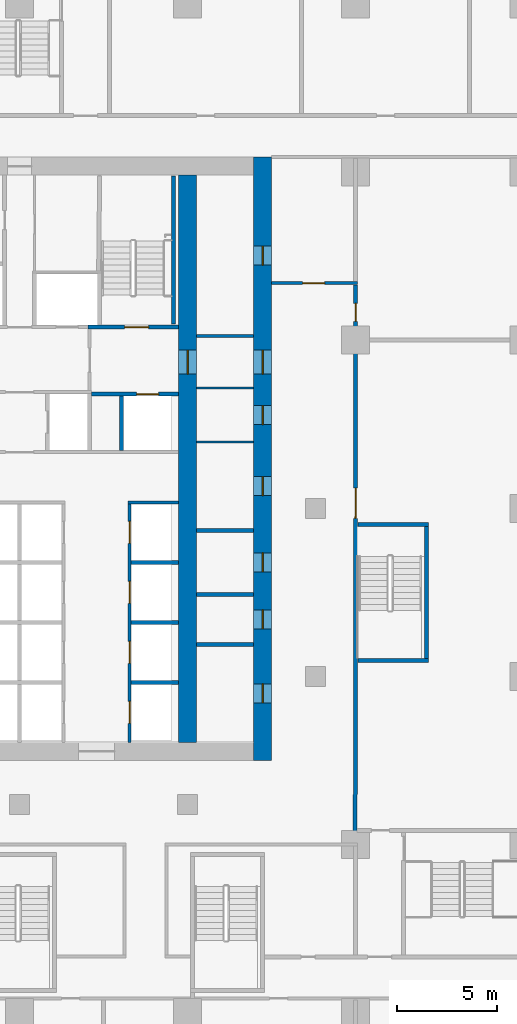
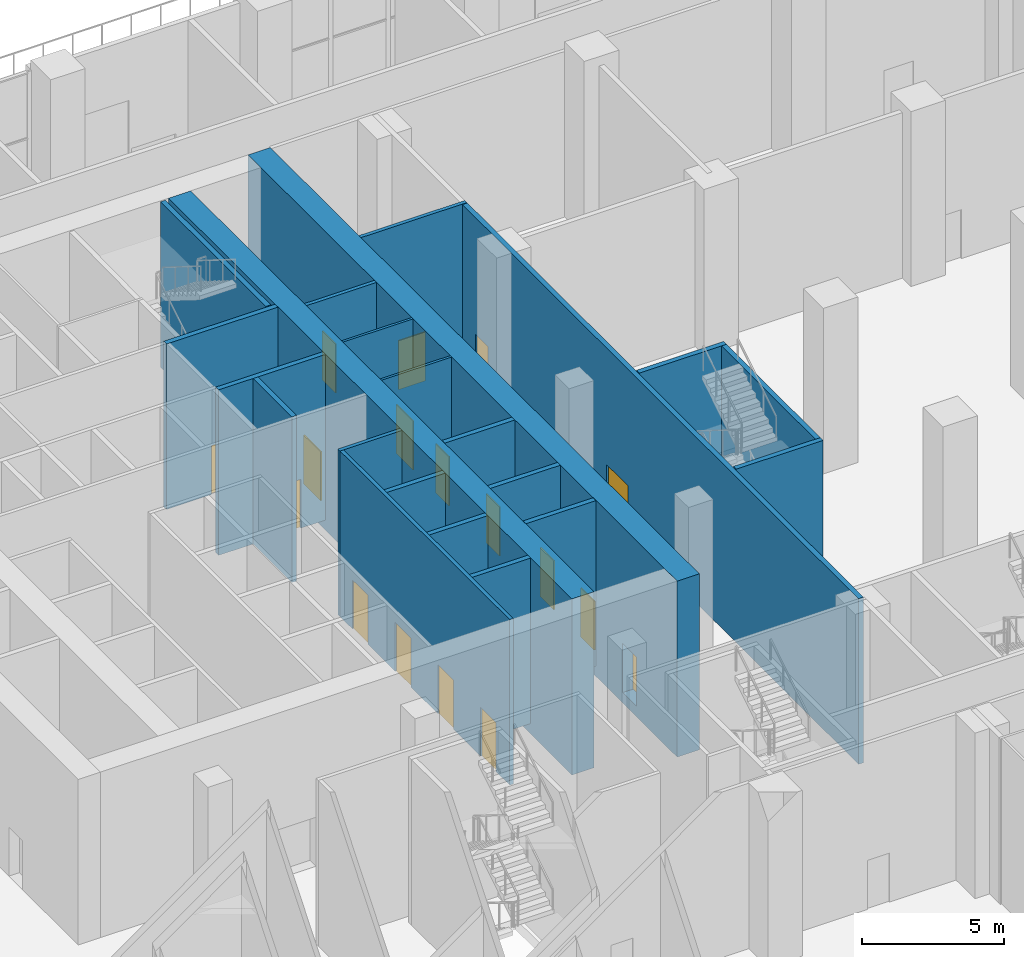
# One storey, part 28 of 53: 22 walls, 17 doors, 17 openings.
"""IFC4 building model written with IfcOpenShell, lengths in metres."""

import ifcopenshell
import ifcopenshell.guid

model = None  # the IFC model being written
_history = None  # IfcOwnerHistory: only IFC2X3 demands one
_inside = {}  # id of a spatial element -> (the spatial element, [elements in it])
_under = {}  # id of a project, library or spatial element -> (it, [spatial elements below it])
_declared = {}  # id of a project -> (the project, [libraries it declares])
_typed = {}  # id of a type object -> (the type object, [elements of that type])
_made_of = {}  # id of a material, layer set ... -> (it, [elements and type objects made of it])


def new_model(schema):
    """Start an empty IFC model of exactly this schema.

    Asked for "IFC4X3", IfcOpenShell would pick the latest addendum, in which some entities
    have other attributes; the version numbers below select the first issue.
    IFC2X3 requires an IfcOwnerHistory on every rooted entity: one is made here for all.
    """
    global model, _history
    if schema == "IFC4X3":
        model = ifcopenshell.file(schema_version=(4, 3, 0, 0))
    else:
        model = ifcopenshell.file(schema=schema)
    _inside.clear()
    _under.clear()
    _declared.clear()
    _typed.clear()
    _made_of.clear()
    _history = None
    if model.schema == "IFC2X3":
        org = make("IfcOrganization", Name="unknown")
        user = make(
            "IfcPersonAndOrganization",
            ThePerson=make("IfcPerson", FamilyName="unknown"),
            TheOrganization=org,
        )
        app = make(
            "IfcApplication",
            ApplicationDeveloper=org,
            Version="unknown",
            ApplicationFullName="unknown",
            ApplicationIdentifier="unknown",
        )
        _history = make(
            "IfcOwnerHistory",
            OwningUser=user,
            OwningApplication=app,
            ChangeAction="ADDED",
            CreationDate=0,
        )
    return model


def make(cls, **values):
    """One entity of the class cls with the attributes given. An attribute that is None is left unset."""
    return model.create_entity(
        cls, **{name: value for name, value in values.items() if value is not None}
    )


def rooted(cls, **values):
    """An entity with a GlobalId (a new one), such as an element, a storey or a relation."""
    return make(cls, GlobalId=ifcopenshell.guid.new(), OwnerHistory=_history, **values)


def si_unit(unit_type, name, prefix=None):
    """IfcSIUnit, for example si_unit("LENGTHUNIT", "METRE", prefix="MILLI")."""
    return make("IfcSIUnit", UnitType=unit_type, Prefix=prefix, Name=name)


def assignment(units):
    """IfcUnitAssignment: the units of a project."""
    return None if units is None else make("IfcUnitAssignment", Units=units)


def point(xyz):
    """IfcCartesianPoint."""
    return None if xyz is None else make("IfcCartesianPoint", Coordinates=xyz)


def direction(xyz):
    """IfcDirection."""
    return None if xyz is None else make("IfcDirection", DirectionRatios=xyz)


def frame(location, z_axis=None, x_axis=None):
    """IfcAxis2Placement3D, a coordinate frame: its origin and axes. An axis left out is left unset."""
    return make(
        "IfcAxis2Placement3D",
        Location=point(location),
        Axis=direction(z_axis),
        RefDirection=direction(x_axis),
    )


def frame_2d(location, x_axis=None):
    """IfcAxis2Placement2D, a coordinate frame in the plane: its origin and x axis."""
    return make(
        "IfcAxis2Placement2D", Location=point(location), RefDirection=direction(x_axis)
    )


def origin():
    """The frame at (0, 0, 0) with its axes left unset."""
    return frame((0.0, 0.0, 0.0))


def place(relative_to, where):
    """IfcLocalPlacement: puts the frame where relative to a parent placement (None: the world)."""
    return make(
        "IfcLocalPlacement", PlacementRelTo=relative_to, RelativePlacement=where
    )


def context(
    kind, dimensions, precision=None, world=None, true_north=None, identifier=None
):
    """IfcGeometricRepresentationContext, for example the 3D "Model" context."""
    return make(
        "IfcGeometricRepresentationContext",
        ContextIdentifier=identifier,
        ContextType=kind,
        CoordinateSpaceDimension=dimensions,
        Precision=precision,
        WorldCoordinateSystem=world,
        TrueNorth=true_north,
    )


def subcontext(parent, identifier, kind, view, scale=None):
    """IfcGeometricRepresentationSubContext, for example "Body" below "Model"."""
    return make(
        "IfcGeometricRepresentationSubContext",
        ContextIdentifier=identifier,
        ContextType=kind,
        ParentContext=parent,
        TargetScale=scale,
        TargetView=view,
    )


def project(units=None, contexts=None):
    """IfcProject with its units and contexts."""
    return rooted(
        "IfcProject",
        Name="project",
        RepresentationContexts=contexts,
        UnitsInContext=assignment(units),
    )


def spatial(cls, under=None, at=None, **own):
    """A site, building, storey or space (cls), placed at a placement, below another one or the project."""
    s = rooted(cls, ObjectPlacement=at, **own)
    if under is not None:
        _under.setdefault(under.id(), (under, []))[1].append(s)
    return s


def profile(cls, at=None, kind="AREA", **sizes):
    """A parametric profile (cls). Its sizes go by their IFC names, for example OverallWidth=200.0."""
    return make(cls, ProfileType=kind, Position=at, **sizes)


def rectangle(**sizes):
    """IfcRectangleProfileDef."""
    return profile("IfcRectangleProfileDef", **sizes)


def extrude(swept, where, along, depth):
    """IfcExtrudedAreaSolid: the profile swept, set in the frame where, extruded along a direction by depth."""
    return make(
        "IfcExtrudedAreaSolid",
        SweptArea=swept,
        Position=where,
        ExtrudedDirection=direction(along),
        Depth=depth,
    )


def shape(context_of_items, identifier, shape_type, items):
    """IfcShapeRepresentation: the items that make up one representation, for example the "Body"."""
    return make(
        "IfcShapeRepresentation",
        ContextOfItems=context_of_items,
        RepresentationIdentifier=identifier,
        RepresentationType=shape_type,
        Items=items,
    )


def material(Name=None, Category=None):
    """IfcMaterial."""
    return make("IfcMaterial", Name=Name, Category=Category)


def layer(
    of_material, thickness, ventilated=None, Name=None, Category=None, Priority=None
):
    """IfcMaterialLayer: one layer of a wall or slab, of a material (None: an air gap)."""
    return make(
        "IfcMaterialLayer",
        Material=of_material,
        LayerThickness=thickness,
        IsVentilated=ventilated,
        Name=Name,
        Category=Category,
        Priority=Priority,
    )


def layer_set(layers, Name=None):
    """IfcMaterialLayerSet."""
    return make("IfcMaterialLayerSet", MaterialLayers=layers, LayerSetName=Name)


def made_of(thing, what):
    """Note that an element or type object is made of a material, layer set ...; save() writes the relation."""
    if what is not None:
        _made_of.setdefault(what.id(), (what, []))[1].append(thing)
    return thing


def type_object(cls, material=None, **own):
    """A type object (cls), such as IfcWallType, which elements share."""
    return made_of(rooted(cls, **own), material)


def element(
    cls,
    number,
    at=None,
    inside=None,
    cuts=None,
    type_object=None,
    material=None,
    context=None,
    identifier="Body",
    shape_type=None,
    held_by="IfcProductDefinitionShape",
    body=None,
    shapes=None,
    **own,
):
    """One element of the class cls, such as IfcWall. Its Tag is "e" and its number.

    at: its placement. inside: the storey or other place that contains it. cuts: it is an
    opening in that element (IfcRelVoidsElement). A single representation is given by context,
    identifier, shape_type and body (its items); several are given by shapes. held_by: the class
    of the entity that holds the representations. save() writes the other relations.
    """
    e = rooted(cls, Tag="e%d" % number, ObjectPlacement=at, **own)
    if body is not None:
        shapes = [shape(context, identifier, shape_type, body)]
    if shapes is not None:
        e.Representation = make(held_by, Representations=shapes)
    if inside is not None:
        _inside.setdefault(inside.id(), (inside, []))[1].append(e)
    if cuts is not None:
        rooted(
            "IfcRelVoidsElement", RelatingBuildingElement=cuts, RelatedOpeningElement=e
        )
    if type_object is not None:
        _typed.setdefault(type_object.id(), (type_object, []))[1].append(e)
    return made_of(e, material)


def fill(opening, filler):
    """IfcRelFillsElement: the door or window that sits in an opening."""
    return rooted(
        "IfcRelFillsElement",
        RelatingOpeningElement=opening,
        RelatedBuildingElement=filler,
    )


def aggregate(whole, parts):
    """IfcRelAggregates: a whole, such as a stair, and the parts it consists of."""
    return rooted("IfcRelAggregates", RelatingObject=whole, RelatedObjects=parts)


def save(model, path):
    """Write the relations noted so far, then the file.

    IfcRelAggregates (storeys below a building ...), IfcRelContainedInSpatialStructure (elements
    in a storey), IfcRelDefinesByType, IfcRelAssociatesMaterial and IfcRelDeclares: one each for
    every whole, place, type object, material and project.
    """
    for whole, parts in _under.values():
        aggregate(whole, parts)
    for where, things in _inside.values():
        rooted(
            "IfcRelContainedInSpatialStructure",
            RelatedElements=things,
            RelatingStructure=where,
        )
    for kind, things in _typed.values():
        rooted("IfcRelDefinesByType", RelatedObjects=things, RelatingType=kind)
    for what, things in _made_of.values():
        rooted("IfcRelAssociatesMaterial", RelatedObjects=things, RelatingMaterial=what)
    for by, libraries in _declared.values():
        rooted("IfcRelDeclares", RelatingContext=by, RelatedDefinitions=libraries)
    model.write(path)


model = new_model("IFC4")

# Units and contexts
model_context = context("Model", 3, precision=1e-05, world=origin(), true_north=direction((0.0, 1.0)))
body_context = subcontext(model_context, "Body", "Model", "MODEL_VIEW")
ifc_project = project(units=[si_unit("LENGTHUNIT", "METRE"), si_unit("AREAUNIT", "SQUARE_METRE"), si_unit("VOLUMEUNIT", "CUBIC_METRE"), si_unit("PLANEANGLEUNIT", "RADIAN"), si_unit("MASSUNIT", "GRAM", prefix="KILO")], contexts=[model_context])

# Site, building, storey
site_placement = place(None, origin())
site = spatial("IfcSite", under=ifc_project, at=site_placement, CompositionType="ELEMENT")
building_placement = place(site_placement, origin())
building = spatial("IfcBuilding", under=site, at=building_placement, Name="Vermilion Ogive Tower", CompositionType="ELEMENT")
storey_placement = place(building_placement, origin())
storey = spatial("IfcBuildingStorey", under=building, at=storey_placement, Name="L00", CompositionType="ELEMENT", Elevation=0.0)

# Wall, openings, doors
ifc_material_1 = material(Name="Concrete B80", Category="concrete")
ifc_layer_1 = layer(ifc_material_1, 0.89990234375)
ifc_layer_set_1 = layer_set([ifc_layer_1], Name="Core wall 900 B80")
wall_type_1 = type_object("IfcWallType", Name="Core wall 900 B80", PredefinedType="SHEAR", material=ifc_layer_set_1)
wall_1_placement = place(storey_placement, frame((12.14990234375, -8.39990234375, -0.449951171875), z_axis=(0.0, 0.0, 1.0), x_axis=(0.0, 1.0, 0.0)))
wall_1 = element("IfcWall", 1, at=wall_1_placement, inside=storey, type_object=wall_type_1, Name="L00-CORE-E", PredefinedType="SHEAR", context=body_context, shape_type="SweptSolid", body=[
    extrude(rectangle(XDim=30.14990234375, YDim=0.89990234375, at=frame_2d((15.074951171875, 0.0))), origin(), (0.0, 0.0, 1.0), 7.550048828125),
])
opening_1_placement = place(wall_1_placement, frame((2.875, 0.0, 0.449951171875)))
opening_1 = element("IfcOpeningElement", 2, at=opening_1_placement, cuts=wall_1, Name="Opening DAJ001", PredefinedType="OPENING", context=body_context, shape_type="SweptSolid", body=[
    extrude(rectangle(XDim=0.949951171875, YDim=2.10009765625, at=frame_2d((0.47509765625, 1.050048828125))), frame((0.0, 0.4599609375, 0.0), z_axis=(0.0, -1.0, 0.0), x_axis=(1.0, 0.0, 0.0)), (0.0, 0.0, 1.0), 0.919921875),
])
opening_2_placement = place(wall_1_placement, frame((6.574951171875, 0.0, 0.449951171875)))
opening_2 = element("IfcOpeningElement", 3, at=opening_2_placement, cuts=wall_1, Name="Opening DAJ002", PredefinedType="OPENING", context=body_context, shape_type="SweptSolid", body=[
    extrude(rectangle(XDim=0.949951171875, YDim=2.10009765625, at=frame_2d((0.47509765625, 1.050048828125))), frame((0.0, 0.4599609375, 0.0), z_axis=(0.0, -1.0, 0.0), x_axis=(1.0, 0.0, 0.0)), (0.0, 0.0, 1.0), 0.919921875),
])
opening_3_placement = place(wall_1_placement, frame((9.425048828125, 0.0, 0.449951171875)))
opening_3 = element("IfcOpeningElement", 4, at=opening_3_placement, cuts=wall_1, Name="Opening DAJ003", PredefinedType="OPENING", context=body_context, shape_type="SweptSolid", body=[
    extrude(rectangle(XDim=0.949951171875, YDim=2.10009765625, at=frame_2d((0.47509765625, 1.050048828125))), frame((0.0, 0.4599609375, 0.0), z_axis=(0.0, -1.0, 0.0), x_axis=(1.0, 0.0, 0.0)), (0.0, 0.0, 1.0), 0.919921875),
])
opening_4_placement = place(wall_1_placement, frame((13.22509765625, 0.0, 0.449951171875)))
opening_4 = element("IfcOpeningElement", 5, at=opening_4_placement, cuts=wall_1, Name="Opening DAJ004", PredefinedType="OPENING", context=body_context, shape_type="SweptSolid", body=[
    extrude(rectangle(XDim=0.949951171875, YDim=2.10009765625, at=frame_2d((0.47509765625, 1.050048828125))), frame((0.0, 0.4599609375, 0.0), z_axis=(0.0, -1.0, 0.0), x_axis=(1.0, 0.0, 0.0)), (0.0, 0.0, 1.0), 0.919921875),
])
opening_5_placement = place(wall_1_placement, frame((16.77490234375, 0.0, 0.449951171875)))
opening_5 = element("IfcOpeningElement", 6, at=opening_5_placement, cuts=wall_1, Name="Opening DAJ005", PredefinedType="OPENING", context=body_context, shape_type="SweptSolid", body=[
    extrude(rectangle(XDim=0.949951171875, YDim=2.10009765625, at=frame_2d((0.47509765625, 1.050048828125))), frame((0.0, 0.4599609375, 0.0), z_axis=(0.0, -1.0, 0.0), x_axis=(1.0, 0.0, 0.0)), (0.0, 0.0, 1.0), 0.919921875),
])
opening_6_placement = place(wall_1_placement, frame((24.75, 0.0, 0.449951171875)))
opening_6 = element("IfcOpeningElement", 7, at=opening_6_placement, cuts=wall_1, Name="Opening DAJ006", PredefinedType="OPENING", context=body_context, shape_type="SweptSolid", body=[
    extrude(rectangle(XDim=0.949951171875, YDim=2.10009765625, at=frame_2d((0.47509765625, 1.050048828125))), frame((0.0, 0.4599609375, 0.0), z_axis=(0.0, -1.0, 0.0), x_axis=(1.0, 0.0, 0.0)), (0.0, 0.0, 1.0), 0.919921875),
])
opening_7_placement = place(wall_1_placement, frame((19.300048828125, 0.0, 0.449951171875)))
opening_7 = element("IfcOpeningElement", 8, at=opening_7_placement, cuts=wall_1, Name="Opening DBA001", PredefinedType="OPENING", context=body_context, shape_type="SweptSolid", body=[
    extrude(rectangle(XDim=1.199951171875, YDim=2.10009765625, at=frame_2d((0.60009765625, 1.050048828125))), frame((0.0, 0.4599609375, 0.0), z_axis=(0.0, -1.0, 0.0), x_axis=(1.0, 0.0, 0.0)), (0.0, 0.0, 1.0), 0.919921875),
])
ifc_material_2 = material(Name="Timber door leaf", Category="wood")
door_type_1 = type_object("IfcDoorType", Name="Link door 1200 x 2100 FD60S", OperationType="SINGLE_SWING_LEFT", PredefinedType="DOOR", material=ifc_material_2)
door_1_placement = place(opening_7_placement, origin())
door_1 = element("IfcDoor", 9, at=door_1_placement, inside=storey, type_object=door_type_1, Name="L00-CKE-XL", OperationType="SINGLE_SWING_LEFT", OverallHeight=2.10009765625, OverallWidth=1.199951171875, PredefinedType="DOOR", context=body_context, shape_type="SweptSolid", body=[
    extrude(rectangle(XDim=1.199951171875, YDim=2.10009765625, at=frame_2d((0.60009765625, 1.050048828125))), frame((0.0, 0.02490234375, 0.0), z_axis=(0.0, -1.0, 0.0), x_axis=(1.0, 0.0, 0.0)), (0.0, 0.0, 1.0), 0.050048828125),
])
fill(opening_7, door_1)
ifc_material_3 = material(Name="Timber door leaf", Category="wood")
door_type_2 = type_object("IfcDoorType", Name="Service door 950 x 2100 FD60", OperationType="SINGLE_SWING_LEFT", PredefinedType="DOOR", material=ifc_material_3)
door_2_placement = place(opening_1_placement, origin())
door_2 = element("IfcDoor", 10, at=door_2_placement, inside=storey, type_object=door_type_2, Name="L00-CKE-XR0", OperationType="SINGLE_SWING_LEFT", OverallHeight=2.10009765625, OverallWidth=0.949951171875, PredefinedType="DOOR", context=body_context, shape_type="SweptSolid", body=[
    extrude(rectangle(XDim=0.949951171875, YDim=2.10009765625, at=frame_2d((0.47509765625, 1.050048828125))), frame((0.0, 0.02490234375, 0.0), z_axis=(0.0, -1.0, 0.0), x_axis=(1.0, 0.0, 0.0)), (0.0, 0.0, 1.0), 0.050048828125),
])
fill(opening_1, door_2)
door_3_placement = place(opening_2_placement, origin())
door_3 = element("IfcDoor", 11, at=door_3_placement, inside=storey, type_object=door_type_2, Name="L00-CKE-XR1", OperationType="SINGLE_SWING_LEFT", OverallHeight=2.10009765625, OverallWidth=0.949951171875, PredefinedType="DOOR", context=body_context, shape_type="SweptSolid", body=[
    extrude(rectangle(XDim=0.949951171875, YDim=2.10009765625, at=frame_2d((0.47509765625, 1.050048828125))), frame((0.0, 0.02490234375, 0.0), z_axis=(0.0, -1.0, 0.0), x_axis=(1.0, 0.0, 0.0)), (0.0, 0.0, 1.0), 0.050048828125),
])
fill(opening_2, door_3)
door_4_placement = place(opening_3_placement, origin())
door_4 = element("IfcDoor", 12, at=door_4_placement, inside=storey, type_object=door_type_2, Name="L00-CKE-XR2", OperationType="SINGLE_SWING_LEFT", OverallHeight=2.10009765625, OverallWidth=0.949951171875, PredefinedType="DOOR", context=body_context, shape_type="SweptSolid", body=[
    extrude(rectangle(XDim=0.949951171875, YDim=2.10009765625, at=frame_2d((0.47509765625, 1.050048828125))), frame((0.0, 0.02490234375, 0.0), z_axis=(0.0, -1.0, 0.0), x_axis=(1.0, 0.0, 0.0)), (0.0, 0.0, 1.0), 0.050048828125),
])
fill(opening_3, door_4)
door_5_placement = place(opening_4_placement, origin())
door_5 = element("IfcDoor", 13, at=door_5_placement, inside=storey, type_object=door_type_2, Name="L00-CKE-XR3", OperationType="SINGLE_SWING_LEFT", OverallHeight=2.10009765625, OverallWidth=0.949951171875, PredefinedType="DOOR", context=body_context, shape_type="SweptSolid", body=[
    extrude(rectangle(XDim=0.949951171875, YDim=2.10009765625, at=frame_2d((0.47509765625, 1.050048828125))), frame((0.0, 0.02490234375, 0.0), z_axis=(0.0, -1.0, 0.0), x_axis=(1.0, 0.0, 0.0)), (0.0, 0.0, 1.0), 0.050048828125),
])
fill(opening_4, door_5)
door_6_placement = place(opening_5_placement, origin())
door_6 = element("IfcDoor", 14, at=door_6_placement, inside=storey, type_object=door_type_2, Name="L00-CKE-XR4", OperationType="SINGLE_SWING_LEFT", OverallHeight=2.10009765625, OverallWidth=0.949951171875, PredefinedType="DOOR", context=body_context, shape_type="SweptSolid", body=[
    extrude(rectangle(XDim=0.949951171875, YDim=2.10009765625, at=frame_2d((0.47509765625, 1.050048828125))), frame((0.0, 0.02490234375, 0.0), z_axis=(0.0, -1.0, 0.0), x_axis=(1.0, 0.0, 0.0)), (0.0, 0.0, 1.0), 0.050048828125),
])
fill(opening_5, door_6)
door_7_placement = place(opening_6_placement, origin())
door_7 = element("IfcDoor", 15, at=door_7_placement, inside=storey, type_object=door_type_2, Name="L00-CKE-XR5", OperationType="SINGLE_SWING_LEFT", OverallHeight=2.10009765625, OverallWidth=0.949951171875, PredefinedType="DOOR", context=body_context, shape_type="SweptSolid", body=[
    extrude(rectangle(XDim=0.949951171875, YDim=2.10009765625, at=frame_2d((0.47509765625, 1.050048828125))), frame((0.0, 0.02490234375, 0.0), z_axis=(0.0, -1.0, 0.0), x_axis=(1.0, 0.0, 0.0)), (0.0, 0.0, 1.0), 0.050048828125),
])
fill(opening_6, door_7)

# Wall, opening, door
wall_2_placement = place(storey_placement, frame((8.39990234375, -7.5, -0.449951171875), z_axis=(0.0, 0.0, 1.0), x_axis=(0.0, 1.0, 0.0)))
wall_2 = element("IfcWall", 16, at=wall_2_placement, inside=storey, type_object=wall_type_1, Name="L00-CORE-WEB2", PredefinedType="SHEAR", context=body_context, shape_type="SweptSolid", body=[
    extrude(rectangle(XDim=28.35009765625, YDim=0.89990234375, at=frame_2d((14.175048828125, 0.0))), origin(), (0.0, 0.0, 1.0), 7.550048828125),
])
opening_8_placement = place(wall_2_placement, frame((18.39990234375, 0.0, 0.449951171875)))
opening_8 = element("IfcOpeningElement", 17, at=opening_8_placement, cuts=wall_2, Name="Opening DBC001", PredefinedType="OPENING", context=body_context, shape_type="SweptSolid", body=[
    extrude(rectangle(XDim=1.199951171875, YDim=2.10009765625, at=frame_2d((0.60009765625, 1.050048828125))), frame((0.0, 0.4599609375, 0.0), z_axis=(0.0, -1.0, 0.0), x_axis=(1.0, 0.0, 0.0)), (0.0, 0.0, 1.0), 0.919921875),
])
door_8_placement = place(opening_8_placement, origin())
door_8 = element("IfcDoor", 18, at=door_8_placement, inside=storey, type_object=door_type_1, Name="L00-CKE-XW", OperationType="SINGLE_SWING_LEFT", OverallHeight=2.10009765625, OverallWidth=1.199951171875, PredefinedType="DOOR", context=body_context, shape_type="SweptSolid", body=[
    extrude(rectangle(XDim=1.199951171875, YDim=2.10009765625, at=frame_2d((0.60009765625, 1.050048828125))), frame((0.0, 0.02490234375, 0.0), z_axis=(0.0, -1.0, 0.0), x_axis=(1.0, 0.0, 0.0)), (0.0, 0.0, 1.0), 0.050048828125),
])
fill(opening_8, door_8)

# Walls
ifc_material_4 = material(Name="Gypsum board partition on steel studs", Category="steel")
ifc_layer_2 = layer(ifc_material_4, 0.10009765625)
ifc_layer_set_2 = layer_set([ifc_layer_2], Name="Partition 100 bath")
wall_type_2 = type_object("IfcWallType", Name="Partition 100 bath", PredefinedType="PARTITIONING", material=ifc_layer_set_2)
for number, where, z_axis, x_axis, name in (
    (19, (8.85107421875, 7.5, 0.0), (0.0, 0.0, 1.0), (1.0, 0.0, 0.0), "L00-CKE-W-W004"),
    (20, (8.85107421875, 10.199951171875, 0.0), (0.0, 0.0, 1.0), (1.0, 0.0, 0.0), "L00-CKE-W-W005"),
):
    element("IfcWall", number, at=place(storey_placement, frame(where, z_axis=z_axis, x_axis=x_axis)), inside=storey, type_object=wall_type_2, Name=name, PredefinedType="PARTITIONING", context=body_context, shape_type="SweptSolid", body=[
        extrude(rectangle(XDim=2.847900390625, YDim=0.10009765625, at=frame_2d((1.423828125, 0.0))), origin(), (0.0, 0.0, 1.0), 7.10009765625),
    ])

# Wall, opening, door
ifc_material_5 = material(Name="Gypsum board partition on steel studs", Category="steel")
ifc_layer_3 = layer(ifc_material_5, 0.14990234375)
ifc_layer_set_3 = layer_set([ifc_layer_3], Name="Partition 150 corridor")
wall_type_3 = type_object("IfcWallType", Name="Partition 150 corridor", PredefinedType="PARTITIONING", material=ifc_layer_set_3)
wall_3_placement = place(storey_placement, frame((12.60107421875, 15.449951171875, 0.0), z_axis=(0.0, 0.0, 1.0), x_axis=(1.0, 0.0, 0.0)))
wall_3 = element("IfcWall", 21, at=wall_3_placement, inside=storey, type_object=wall_type_3, Name="L00-FS-W-W035", PredefinedType="PARTITIONING", context=body_context, shape_type="SweptSolid", body=[
    extrude(rectangle(XDim=4.298828125, YDim=0.14990234375, at=frame_2d((2.1494140625, 0.0))), origin(), (0.0, 0.0, 1.0), 7.10009765625),
])
opening_9_placement = place(wall_3_placement, frame((1.549072265625, 0.0, 0.0)))
opening_9 = element("IfcOpeningElement", 22, at=opening_9_placement, cuts=wall_3, Name="Opening L00S026", PredefinedType="OPENING", context=body_context, shape_type="SweptSolid", body=[
    extrude(rectangle(XDim=1.10009765625, YDim=2.10009765625, at=frame_2d((0.550048828125, 1.050048828125))), frame((0.0, 0.0849609375, 0.0), z_axis=(0.0, -1.0, 0.0), x_axis=(1.0, 0.0, 0.0)), (0.0, 0.0, 1.0), 0.169921875),
])
ifc_material_6 = material(Name="Timber door leaf", Category="wood")
door_type_3 = type_object("IfcDoorType", Name="Fire door 1100 x 2100 FD30", OperationType="SINGLE_SWING_LEFT", PredefinedType="DOOR", material=ifc_material_6)
door_9_placement = place(opening_9_placement, origin())
door_9 = element("IfcDoor", 23, at=door_9_placement, inside=storey, type_object=door_type_3, Name="L00-FS-D-D026", OperationType="SINGLE_SWING_LEFT", OverallHeight=2.10009765625, OverallWidth=1.10009765625, PredefinedType="DOOR", context=body_context, shape_type="SweptSolid", body=[
    extrude(rectangle(XDim=1.10009765625, YDim=2.10009765625, at=frame_2d((0.550048828125, 1.050048828125))), frame((0.0, 0.02490234375, 0.0), z_axis=(0.0, -1.0, 0.0), x_axis=(1.0, 0.0, 0.0)), (0.0, 0.0, 1.0), 0.050048828125),
])
fill(opening_9, door_9)

# Wall
wall_4_placement = place(storey_placement, frame((5.425048828125, 4.5, 0.0), z_axis=(0.0, 0.0, 1.0), x_axis=(1.0, 0.0, 0.0)))
element("IfcWall", 24, at=wall_4_placement, inside=storey, type_object=wall_type_3, Name="L00-CK-W-W012", PredefinedType="PARTITIONING", context=body_context, shape_type="SweptSolid", body=[
    extrude(rectangle(XDim=2.52392578125, YDim=0.14990234375, at=frame_2d((1.261962890625, 0.0))), origin(), (0.0, 0.0, 1.0), 7.10009765625),
])

# Wall, openings, doors
wall_5_placement = place(storey_placement, frame((5.5, -7.4990234375, 0.0), z_axis=(0.0, 0.0, 1.0), x_axis=(0.0, 1.0, 0.0)))
wall_5 = element("IfcWall", 25, at=wall_5_placement, inside=storey, type_object=wall_type_3, Name="L00-CK-W-W040", PredefinedType="PARTITIONING", context=body_context, shape_type="SweptSolid", body=[
    extrude(rectangle(XDim=11.924072265625, YDim=0.14990234375, at=frame_2d((5.9619140625, 0.0))), origin(), (0.0, 0.0, 1.0), 7.10009765625),
])
opening_10_placement = place(wall_5_placement, frame((0.948974609375, 0.0, 0.0)))
opening_10 = element("IfcOpeningElement", 26, at=opening_10_placement, cuts=wall_5, Name="Opening DAB014", PredefinedType="OPENING", context=body_context, shape_type="SweptSolid", body=[
    extrude(rectangle(XDim=1.10009765625, YDim=2.10009765625, at=frame_2d((0.550048828125, 1.050048828125))), frame((0.0, 0.0849609375, 0.0), z_axis=(0.0, -1.0, 0.0), x_axis=(1.0, 0.0, 0.0)), (0.0, 0.0, 1.0), 0.169921875),
])
opening_11_placement = place(wall_5_placement, frame((3.948974609375, 0.0, 0.0)))
opening_11 = element("IfcOpeningElement", 27, at=opening_11_placement, cuts=wall_5, Name="Opening DAB015", PredefinedType="OPENING", context=body_context, shape_type="SweptSolid", body=[
    extrude(rectangle(XDim=1.10009765625, YDim=2.10009765625, at=frame_2d((0.550048828125, 1.050048828125))), frame((0.0, 0.0849609375, 0.0), z_axis=(0.0, -1.0, 0.0), x_axis=(1.0, 0.0, 0.0)), (0.0, 0.0, 1.0), 0.169921875),
])
opening_12_placement = place(wall_5_placement, frame((6.948974609375, 0.0, 0.0)))
opening_12 = element("IfcOpeningElement", 28, at=opening_12_placement, cuts=wall_5, Name="Opening DAB016", PredefinedType="OPENING", context=body_context, shape_type="SweptSolid", body=[
    extrude(rectangle(XDim=1.10009765625, YDim=2.10009765625, at=frame_2d((0.550048828125, 1.050048828125))), frame((0.0, 0.0849609375, 0.0), z_axis=(0.0, -1.0, 0.0), x_axis=(1.0, 0.0, 0.0)), (0.0, 0.0, 1.0), 0.169921875),
])
opening_13_placement = place(wall_5_placement, frame((9.948974609375, 0.0, 0.0)))
opening_13 = element("IfcOpeningElement", 29, at=opening_13_placement, cuts=wall_5, Name="Opening DAB017", PredefinedType="OPENING", context=body_context, shape_type="SweptSolid", body=[
    extrude(rectangle(XDim=1.10009765625, YDim=2.10009765625, at=frame_2d((0.550048828125, 1.050048828125))), frame((0.0, 0.0849609375, 0.0), z_axis=(0.0, -1.0, 0.0), x_axis=(1.0, 0.0, 0.0)), (0.0, 0.0, 1.0), 0.169921875),
])
ifc_material_7 = material(Name="Stainless steel", Category="steel")
door_type_4 = type_object("IfcDoorType", Name="Lift landing door 1100 x 2100", OperationType="SLIDING_TO_LEFT", PredefinedType="DOOR", material=ifc_material_7)
door_10_placement = place(opening_10_placement, origin())
door_10 = element("IfcDoor", 30, at=door_10_placement, inside=storey, type_object=door_type_4, Name="L00-CK-D-D013", OperationType="SLIDING_TO_RIGHT", OverallHeight=2.10009765625, OverallWidth=1.10009765625, PredefinedType="DOOR", context=body_context, shape_type="SweptSolid", body=[
    extrude(rectangle(XDim=1.10009765625, YDim=2.10009765625, at=frame_2d((0.550048828125, 1.050048828125))), frame((0.0, 0.02490234375, 0.0), z_axis=(0.0, -1.0, 0.0), x_axis=(1.0, 0.0, 0.0)), (0.0, 0.0, 1.0), 0.050048828125),
])
fill(opening_10, door_10)
door_11_placement = place(opening_11_placement, origin())
door_11 = element("IfcDoor", 31, at=door_11_placement, inside=storey, type_object=door_type_4, Name="L00-CK-D-D014", OperationType="SLIDING_TO_RIGHT", OverallHeight=2.10009765625, OverallWidth=1.10009765625, PredefinedType="DOOR", context=body_context, shape_type="SweptSolid", body=[
    extrude(rectangle(XDim=1.10009765625, YDim=2.10009765625, at=frame_2d((0.550048828125, 1.050048828125))), frame((0.0, 0.02490234375, 0.0), z_axis=(0.0, -1.0, 0.0), x_axis=(1.0, 0.0, 0.0)), (0.0, 0.0, 1.0), 0.050048828125),
])
fill(opening_11, door_11)
door_12_placement = place(opening_12_placement, origin())
door_12 = element("IfcDoor", 32, at=door_12_placement, inside=storey, type_object=door_type_4, Name="L00-CK-D-D015", OperationType="SLIDING_TO_RIGHT", OverallHeight=2.10009765625, OverallWidth=1.10009765625, PredefinedType="DOOR", context=body_context, shape_type="SweptSolid", body=[
    extrude(rectangle(XDim=1.10009765625, YDim=2.10009765625, at=frame_2d((0.550048828125, 1.050048828125))), frame((0.0, 0.02490234375, 0.0), z_axis=(0.0, -1.0, 0.0), x_axis=(1.0, 0.0, 0.0)), (0.0, 0.0, 1.0), 0.050048828125),
])
fill(opening_12, door_12)
door_13_placement = place(opening_13_placement, origin())
door_13 = element("IfcDoor", 33, at=door_13_placement, inside=storey, type_object=door_type_4, Name="L00-CK-D-D016", OperationType="SLIDING_TO_RIGHT", OverallHeight=2.10009765625, OverallWidth=1.10009765625, PredefinedType="DOOR", context=body_context, shape_type="SweptSolid", body=[
    extrude(rectangle(XDim=1.10009765625, YDim=2.10009765625, at=frame_2d((0.550048828125, 1.050048828125))), frame((0.0, 0.02490234375, 0.0), z_axis=(0.0, -1.0, 0.0), x_axis=(1.0, 0.0, 0.0)), (0.0, 0.0, 1.0), 0.050048828125),
])
fill(opening_13, door_13)

# Walls
wall_6_placement = place(storey_placement, frame((8.85107421875, 12.800048828125, 0.0), z_axis=(0.0, 0.0, 1.0), x_axis=(1.0, 0.0, 0.0)))
element("IfcWall", 34, at=wall_6_placement, inside=storey, type_object=wall_type_3, Name="L00-CKE-W-W006", PredefinedType="PARTITIONING", context=body_context, shape_type="SweptSolid", body=[
    extrude(rectangle(XDim=2.847900390625, YDim=0.14990234375, at=frame_2d((1.423828125, 0.0))), origin(), (0.0, 0.0, 1.0), 7.10009765625),
])
ifc_material_8 = material(Name="Gypsum board partition on steel studs", Category="steel")
ifc_layer_4 = layer(ifc_material_8, 0.199951171875)
ifc_layer_set_4 = layer_set([ifc_layer_4], Name="Partition 200 party")
wall_type_4 = type_object("IfcWallType", Name="Partition 200 party", PredefinedType="PARTITIONING", material=ifc_layer_set_4)
for number, where, z_axis, x_axis, name in (
    (35, (5.574951171875, -4.5, 0.0), (0.0, 0.0, 1.0), (1.0, 0.0, 0.0), "L00-CK-W-W003"),
    (36, (5.574951171875, -1.5, 0.0), (0.0, 0.0, 1.0), (1.0, 0.0, 0.0), "L00-CK-W-W006"),
    (37, (5.574951171875, 1.5, 0.0), (0.0, 0.0, 1.0), (1.0, 0.0, 0.0), "L00-CK-W-W009"),
):
    element("IfcWall", number, at=place(storey_placement, frame(where, z_axis=z_axis, x_axis=x_axis)), inside=storey, type_object=wall_type_4, Name=name, PredefinedType="PARTITIONING", context=body_context, shape_type="SweptSolid", body=[
        extrude(rectangle(XDim=2.3740234375, YDim=0.199951171875, at=frame_2d((1.18701171875, 0.0))), origin(), (0.0, 0.0, 1.0), 7.10009765625),
    ])

# Wall, opening, door
wall_7_placement = place(storey_placement, frame((3.60009765625, 9.89990234375, 0.0), z_axis=(0.0, 0.0, 1.0), x_axis=(1.0, 0.0, 0.0)))
wall_7 = element("IfcWall", 38, at=wall_7_placement, inside=storey, type_object=wall_type_4, Name="L00-CK-W-W015", PredefinedType="PARTITIONING", context=body_context, shape_type="SweptSolid", body=[
    extrude(rectangle(XDim=4.348876953125, YDim=0.199951171875, at=frame_2d((2.17431640625, 0.0))), origin(), (0.0, 0.0, 1.0), 7.10009765625),
])
opening_14_placement = place(wall_7_placement, frame((2.25, 0.0, 0.0)))
opening_14 = element("IfcOpeningElement", 39, at=opening_14_placement, cuts=wall_7, Name="Opening DAB019", PredefinedType="OPENING", context=body_context, shape_type="SweptSolid", body=[
    extrude(rectangle(XDim=1.10009765625, YDim=2.10009765625, at=frame_2d((0.550048828125, 1.050048828125))), frame((0.0, 0.10986328125, 0.0), z_axis=(0.0, -1.0, 0.0), x_axis=(1.0, 0.0, 0.0)), (0.0, 0.0, 1.0), 0.219970703125),
])
door_14_placement = place(opening_14_placement, origin())
door_14 = element("IfcDoor", 40, at=door_14_placement, inside=storey, type_object=door_type_4, Name="L00-CK-D-D020", OperationType="SLIDING_TO_LEFT", OverallHeight=2.10009765625, OverallWidth=1.10009765625, PredefinedType="DOOR", context=body_context, shape_type="SweptSolid", body=[
    extrude(rectangle(XDim=1.10009765625, YDim=2.10009765625, at=frame_2d((0.550048828125, 1.050048828125))), frame((0.0, 0.02490234375, 0.0), z_axis=(0.0, -1.0, 0.0), x_axis=(1.0, 0.0, 0.0)), (0.0, 0.0, 1.0), 0.050048828125),
])
fill(opening_14, door_14)

# Walls
wall_8_placement = place(storey_placement, frame((5.10009765625, 7.074951171875, 0.0), z_axis=(0.0, 0.0, 1.0), x_axis=(0.0, 1.0, 0.0)))
element("IfcWall", 41, at=wall_8_placement, inside=storey, type_object=wall_type_4, Name="L00-CK-W-W039", PredefinedType="PARTITIONING", context=body_context, shape_type="SweptSolid", body=[
    extrude(rectangle(XDim=2.72509765625, YDim=0.199951171875, at=frame_2d((1.362548828125, 0.0))), origin(), (0.0, 0.0, 1.0), 7.10009765625),
])
for number, where, z_axis, x_axis, name in (
    (42, (8.85107421875, -2.60009765625, 0.0), (0.0, 0.0, 1.0), (1.0, 0.0, 0.0), "L00-CKE-W-W001"),
    (43, (8.85107421875, -0.10009765625, 0.0), (0.0, 0.0, 1.0), (1.0, 0.0, 0.0), "L00-CKE-W-W002"),
    (44, (8.85107421875, 3.10009765625, 0.0), (0.0, 0.0, 1.0), (1.0, 0.0, 0.0), "L00-CKE-W-W003"),
):
    element("IfcWall", number, at=place(storey_placement, frame(where, z_axis=z_axis, x_axis=x_axis)), inside=storey, type_object=wall_type_4, Name=name, PredefinedType="PARTITIONING", context=body_context, shape_type="SweptSolid", body=[
        extrude(rectangle(XDim=2.847900390625, YDim=0.199951171875, at=frame_2d((1.423828125, 0.0))), origin(), (0.0, 0.0, 1.0), 7.10009765625),
    ])

# Wall, openings, doors
ifc_material_9 = material(Name="Concrete B60", Category="concrete")
ifc_layer_5 = layer(ifc_material_9, 0.199951171875)
ifc_layer_set_5 = layer_set([ifc_layer_5], Name="Stair shaft wall 200 Concrete B60")
wall_type_5 = type_object("IfcWallType", Name="Stair shaft wall 200 Concrete B60", PredefinedType="SOLIDWALL", material=ifc_layer_set_5)
wall_9_placement = place(storey_placement, frame((16.775146484375, -12.52490234375, 0.0), z_axis=(0.0, 0.0, 1.0), x_axis=(0.000893357267, 0.999999600956, 0.0)))
wall_9 = element("IfcWall", 45, at=wall_9_placement, inside=storey, type_object=wall_type_5, Name="L00-FS-W-W091", PredefinedType="SOLIDWALL", context=body_context, shape_type="SweptSolid", body=[
    extrude(rectangle(XDim=27.875, YDim=0.199951171875, at=frame_2d((13.9375, 0.0))), origin(), (0.0, 0.0, 1.0), 7.10009765625),
])
opening_15_placement = place(wall_9_placement, frame((16.224853515625, 0.0, 0.0)))
opening_15 = element("IfcOpeningElement", 46, at=opening_15_placement, cuts=wall_9, Name="Opening L00S042", PredefinedType="OPENING", context=body_context, shape_type="SweptSolid", body=[
    extrude(rectangle(XDim=1.5, YDim=2.10009765625, at=frame_2d((0.75, 1.050048828125))), frame((0.0, 0.10986328125, 0.0), z_axis=(0.0, -1.0, 0.0), x_axis=(1.0, 0.0, 0.0)), (0.0, 0.0, 1.0), 0.219970703125),
])
opening_16_placement = place(wall_9_placement, frame((26.0625, 0.0, 0.0)))
opening_16 = element("IfcOpeningElement", 47, at=opening_16_placement, cuts=wall_9, Name="Opening L00S044", PredefinedType="OPENING", context=body_context, shape_type="SweptSolid", body=[
    extrude(rectangle(XDim=0.89990234375, YDim=2.10009765625, at=frame_2d((0.449951171875, 1.050048828125))), frame((0.0, 0.10986328125, 0.0), z_axis=(0.0, -1.0, 0.0), x_axis=(1.0, 0.0, 0.0)), (0.0, 0.0, 1.0), 0.219970703125),
])
ifc_material_10 = material(Name="Timber door leaf", Category="wood")
door_type_5 = type_object("IfcDoorType", Name="Assembly door 1500 x 2100 FD30", OperationType="DOUBLE_DOOR_SINGLE_SWING", PredefinedType="DOOR", material=ifc_material_10)
door_15_placement = place(opening_15_placement, origin())
door_15 = element("IfcDoor", 48, at=door_15_placement, inside=storey, type_object=door_type_5, Name="L00-FS-D-D042", OperationType="DOUBLE_DOOR_SINGLE_SWING", OverallHeight=2.10009765625, OverallWidth=1.5, PredefinedType="DOOR", context=body_context, shape_type="SweptSolid", body=[
    extrude(rectangle(XDim=1.5, YDim=2.10009765625, at=frame_2d((0.75, 1.050048828125))), frame((0.0, 0.02490234375, 0.0), z_axis=(0.0, -1.0, 0.0), x_axis=(1.0, 0.0, 0.0)), (0.0, 0.0, 1.0), 0.050048828125),
])
fill(opening_15, door_15)
ifc_material_11 = material(Name="Timber door leaf", Category="wood")
door_type_6 = type_object("IfcDoorType", Name="Room door 900 x 2100 FD30", OperationType="SINGLE_SWING_LEFT", PredefinedType="DOOR", material=ifc_material_11)
door_16_placement = place(opening_16_placement, origin())
door_16 = element("IfcDoor", 49, at=door_16_placement, inside=storey, type_object=door_type_6, Name="L00-FS-D-D044", OperationType="SINGLE_SWING_LEFT", OverallHeight=2.10009765625, OverallWidth=0.89990234375, PredefinedType="DOOR", context=body_context, shape_type="SweptSolid", body=[
    extrude(rectangle(XDim=0.89990234375, YDim=2.10009765625, at=frame_2d((0.449951171875, 1.050048828125))), frame((0.0, 0.02490234375, 0.0), z_axis=(0.0, -1.0, 0.0), x_axis=(1.0, 0.0, 0.0)), (0.0, 0.0, 1.0), 0.050048828125),
])
fill(opening_16, door_16)

# Wall, opening, door
wall_10_placement = place(storey_placement, frame((3.425048828125, 13.25, 0.0), z_axis=(0.0, 0.0, 1.0), x_axis=(1.0, 0.0, 0.0)))
wall_10 = element("IfcWall", 50, at=wall_10_placement, inside=storey, type_object=wall_type_5, Name="L00-CK-W-W019", PredefinedType="SOLIDWALL", context=body_context, shape_type="SweptSolid", body=[
    extrude(rectangle(XDim=4.52392578125, YDim=0.199951171875, at=frame_2d((2.261962890625, 0.0))), origin(), (0.0, 0.0, 1.0), 7.10009765625),
])
opening_17_placement = place(wall_10_placement, frame((1.824951171875, 0.0, 0.0)))
opening_17 = element("IfcOpeningElement", 51, at=opening_17_placement, cuts=wall_10, Name="Opening DAB009", PredefinedType="OPENING", context=body_context, shape_type="SweptSolid", body=[
    extrude(rectangle(XDim=1.199951171875, YDim=2.10009765625, at=frame_2d((0.60009765625, 1.050048828125))), frame((0.0, 0.10986328125, 0.0), z_axis=(0.0, -1.0, 0.0), x_axis=(1.0, 0.0, 0.0)), (0.0, 0.0, 1.0), 0.219970703125),
])
ifc_material_12 = material(Name="Timber door leaf", Category="wood")
door_type_7 = type_object("IfcDoorType", Name="Stair door 1200 x 2100 FD60S", OperationType="SINGLE_SWING_LEFT", PredefinedType="DOOR", material=ifc_material_12)
door_17_placement = place(opening_17_placement, origin())
door_17 = element("IfcDoor", 52, at=door_17_placement, inside=storey, type_object=door_type_7, Name="L00-CK-D-D019", OperationType="SINGLE_SWING_RIGHT", OverallHeight=2.10009765625, OverallWidth=1.199951171875, PredefinedType="DOOR", context=body_context, shape_type="SweptSolid", body=[
    extrude(rectangle(XDim=1.199951171875, YDim=2.10009765625, at=frame_2d((0.60009765625, 1.050048828125))), frame((0.0, 0.02490234375, 0.0), z_axis=(0.0, -1.0, 0.0), x_axis=(1.0, 0.0, 0.0)), (0.0, 0.0, 1.0), 0.050048828125),
])
fill(opening_17, door_17)

# Walls
for number, where, z_axis, x_axis, name in (
    (53, (16.925048828125, -3.39990234375, 0.0), (0.0, 0.0, 1.0), (1.0, 0.0, 0.0), "L00-SW-ST8-S1"),
    (54, (16.925048828125, 3.39990234375, 0.0), (0.0, 0.0, 1.0), (1.0, 0.0, 0.0), "L00-SW-ST8-N1"),
):
    element("IfcWall", number, at=place(storey_placement, frame(where, z_axis=z_axis, x_axis=x_axis)), inside=storey, type_object=wall_type_5, Name=name, PredefinedType="SOLIDWALL", context=body_context, shape_type="SweptSolid", body=[
        extrude(rectangle(XDim=3.52490234375, YDim=0.199951171875, at=frame_2d((1.762451171875, 0.0))), origin(), (0.0, 0.0, 1.0), 7.10009765625),
    ])
wall_11_placement = place(storey_placement, frame((7.699951171875, 13.39990234375, 0.0), z_axis=(0.0, 0.0, 1.0), x_axis=(0.0, 1.0, 0.0)))
element("IfcWall", 55, at=wall_11_placement, inside=storey, type_object=wall_type_5, Name="L00-SW-R027-E1", PredefinedType="SOLIDWALL", context=body_context, shape_type="SweptSolid", body=[
    extrude(rectangle(XDim=7.400146484375, YDim=0.199951171875, at=frame_2d((3.7001953125, 0.0))), origin(), (0.0, 0.0, 1.0), 7.10009765625),
])
wall_12_placement = place(storey_placement, frame((20.35009765625, -3.300048828125, 0.0), z_axis=(0.0, 0.0, 1.0), x_axis=(0.0, 1.0, 0.0)))
element("IfcWall", 56, at=wall_12_placement, inside=storey, type_object=wall_type_5, Name="L00-SW-ST8-E1-A", PredefinedType="SOLIDWALL", context=body_context, shape_type="SweptSolid", body=[
    extrude(rectangle(XDim=6.60009765625, YDim=0.199951171875, at=frame_2d((3.300048828125, 0.0))), origin(), (0.0, 0.0, 1.0), 7.10009765625),
])

save(model, "model.ifc")
